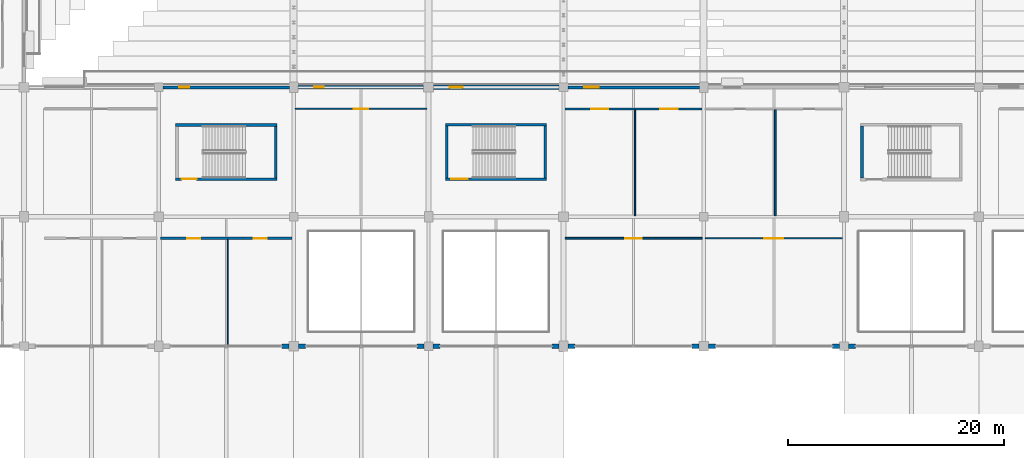
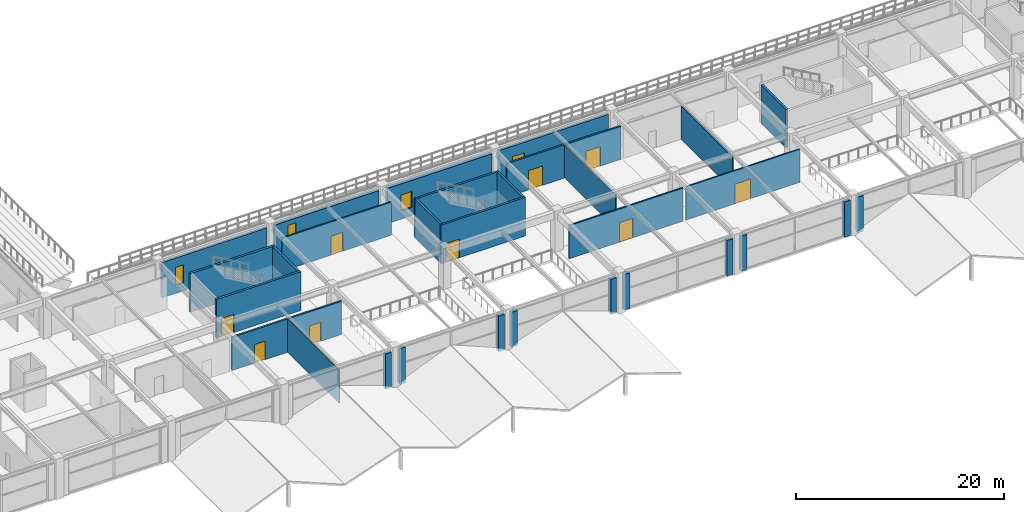
# One storey, part 78 of 134: 30 walls, 9 doors, 4 windows, 13 openings.
"""IFC4 building model written with IfcOpenShell, lengths in metres."""

from ifc_helpers import new_model, si_unit, direction, frame, frame_2d, origin, place, context, subcontext, project, spatial, rectangle, extrude, material, layer, layer_set, type_object, element, fill, save


model = new_model("IFC4")

# Units and contexts
model_context = context("Model", 3, precision=1e-05, world=origin(), true_north=direction((0.0, 1.0)))
body_context = subcontext(model_context, "Body", "Model", "MODEL_VIEW")
ifc_project = project(units=[si_unit("LENGTHUNIT", "METRE"), si_unit("AREAUNIT", "SQUARE_METRE"), si_unit("VOLUMEUNIT", "CUBIC_METRE"), si_unit("PLANEANGLEUNIT", "RADIAN"), si_unit("MASSUNIT", "GRAM", prefix="KILO")], contexts=[model_context])

# Site, building, storey
site_placement = place(None, origin())
site = spatial("IfcSite", under=ifc_project, at=site_placement, CompositionType="ELEMENT")
building_placement = place(site_placement, origin())
building = spatial("IfcBuilding", under=site, at=building_placement, Name="Kazenohara Klinker Stadium", CompositionType="ELEMENT")
storey_placement = place(building_placement, frame((0.0, 0.0, 5.39990234375)))
storey = spatial("IfcBuildingStorey", under=building, at=storey_placement, Name="L01", CompositionType="ELEMENT", Elevation=5.39990234375)

# Wall, opening, door
ifc_material_1 = material(Name="Concrete C40/50", Category="concrete")
ifc_layer_1 = layer(ifc_material_1, 0.22998046875)
ifc_layer_set_1 = layer_set([ifc_layer_1], Name="Concrete C40/50")
wall_type_1 = type_object("IfcWallType", Name="WAL-CORE-230", PredefinedType="SHEAR", material=ifc_layer_set_1)
wall_1_placement = place(storey_placement, frame((88.070068359375, 27.485107421875, 0.0), z_axis=(0.0, 0.0, 1.0), x_axis=(1.0, 0.0, 0.0)))
wall_1 = element("IfcWall", 1, at=wall_1_placement, inside=storey, type_object=wall_type_1, Name="Stairwell shear wall ST26 L01 South", PredefinedType="SHEAR", context=body_context, shape_type="SweptSolid", body=[
    extrude(rectangle(XDim=9.35986328125, YDim=0.22998046875, at=frame_2d((4.679931640625, 0.0))), origin(), (0.0, 0.0, 1.0), 4.550048828125),
])
opening_1_placement = place(wall_1_placement, frame((0.550048828125, 0.0, 0.0)))
opening_1 = element("IfcOpeningElement", 2, at=opening_1_placement, cuts=wall_1, Name="Opening SD02", PredefinedType="OPENING", context=body_context, shape_type="SweptSolid", body=[
    extrude(rectangle(XDim=1.5, YDim=2.199951171875, at=frame_2d((0.75, 1.10009765625))), frame((0.0, 0.125, 0.0), z_axis=(0.0, -1.0, 0.0), x_axis=(1.0, 0.0, 0.0)), (0.0, 0.0, 1.0), 0.25),
])
ifc_material_2 = material(Name="Flush painted steel fire door leaf", Category="steel")
door_type_1 = type_object("IfcDoorType", Name="DR-STR-1500x2200", OperationType="NOTDEFINED", PredefinedType="DOOR", material=ifc_material_2)
door_1_placement = place(opening_1_placement, origin())
door_1 = element("IfcDoor", 3, at=door_1_placement, inside=storey, type_object=door_type_1, Name="Escape stairwell fire door ST26-L01", OperationType="SINGLE_SWING_RIGHT", OverallHeight=2.199951171875, OverallWidth=1.5, PredefinedType="DOOR", context=body_context, shape_type="SweptSolid", body=[
    extrude(rectangle(XDim=1.5, YDim=2.199951171875, at=frame_2d((0.75, 1.10009765625))), frame((0.0, 0.02490234375, 0.0), z_axis=(0.0, -1.0, 0.0), x_axis=(1.0, 0.0, 0.0)), (0.0, 0.0, 1.0), 0.050048828125),
])
fill(opening_1, door_1)

# Walls
wall_2_placement = place(storey_placement, frame((88.070068359375, 32.514892578125, 0.0), z_axis=(0.0, 0.0, 1.0), x_axis=(1.0, 0.0, 0.0)))
element("IfcWall", 4, at=wall_2_placement, inside=storey, type_object=wall_type_1, Name="Stairwell shear wall ST26 L01 North", PredefinedType="SHEAR", context=body_context, shape_type="SweptSolid", body=[
    extrude(rectangle(XDim=9.35986328125, YDim=0.22998046875, at=frame_2d((4.679931640625, 0.0))), origin(), (0.0, 0.0, 1.0), 4.550048828125),
])
for number, where, z_axis, x_axis, name in (
    (5, (88.18505859375, 27.60009765625, 0.0), (0.0, 0.0, 1.0), (0.0, 1.0, 0.0), "Stairwell shear wall ST26 L01 West"),
    (6, (97.31494140625, 27.60009765625, 0.0), (0.0, 0.0, 1.0), (0.0, 1.0, 0.0), "Stairwell shear wall ST26 L01 East"),
):
    element("IfcWall", number, at=place(storey_placement, frame(where, z_axis=z_axis, x_axis=x_axis)), inside=storey, type_object=wall_type_1, Name=name, PredefinedType="SHEAR", context=body_context, shape_type="SweptSolid", body=[
        extrude(rectangle(XDim=4.7998046875, YDim=0.22998046875, at=frame_2d((2.39990234375, 0.0))), origin(), (0.0, 0.0, 1.0), 4.550048828125),
    ])

# Wall, opening, door
ifc_layer_2 = layer(ifc_material_1, 0.25)
ifc_layer_set_2 = layer_set([ifc_layer_2], Name="Concrete C40/50")
wall_type_2 = type_object("IfcWallType", Name="WAL-CORE-250", PredefinedType="SHEAR", material=ifc_layer_set_2)
wall_3_placement = place(storey_placement, frame((63.050048828125, 27.485107421875, 0.0), z_axis=(0.0, 0.0, 1.0), x_axis=(1.0, 0.0, 0.0)))
wall_3 = element("IfcWall", 7, at=wall_3_placement, inside=storey, type_object=wall_type_2, Name="Stairwell shear wall ST25 L01 South", PredefinedType="SHEAR", context=body_context, shape_type="SweptSolid", body=[
    extrude(rectangle(XDim=9.39990234375, YDim=0.25, at=frame_2d((4.699951171875, 0.0))), origin(), (0.0, 0.0, 1.0), 4.550048828125),
])
opening_2_placement = place(wall_3_placement, frame((0.550048828125, 0.0, 0.0)))
opening_2 = element("IfcOpeningElement", 8, at=opening_2_placement, cuts=wall_3, Name="Opening SD01", PredefinedType="OPENING", context=body_context, shape_type="SweptSolid", body=[
    extrude(rectangle(XDim=1.39990234375, YDim=2.14990234375, at=frame_2d((0.699951171875, 1.074951171875))), frame((0.0, 0.135009765625, 0.0), z_axis=(0.0, -1.0, 0.0), x_axis=(1.0, 0.0, 0.0)), (0.0, 0.0, 1.0), 0.27001953125),
])
door_type_2 = type_object("IfcDoorType", Name="DR-STR-1400x2150", OperationType="NOTDEFINED", PredefinedType="DOOR", material=ifc_material_2)
door_2_placement = place(opening_2_placement, origin())
door_2 = element("IfcDoor", 9, at=door_2_placement, inside=storey, type_object=door_type_2, Name="Escape stairwell fire door ST25-L01", OperationType="SINGLE_SWING_RIGHT", OverallHeight=2.14990234375, OverallWidth=1.39990234375, PredefinedType="DOOR", context=body_context, shape_type="SweptSolid", body=[
    extrude(rectangle(XDim=1.39990234375, YDim=2.14990234375, at=frame_2d((0.699951171875, 1.074951171875))), frame((0.0, 0.02490234375, 0.0), z_axis=(0.0, -1.0, 0.0), x_axis=(1.0, 0.0, 0.0)), (0.0, 0.0, 1.0), 0.050048828125),
])
fill(opening_2, door_2)

# Walls
wall_4_placement = place(storey_placement, frame((63.050048828125, 32.514892578125, 0.0), z_axis=(0.0, 0.0, 1.0), x_axis=(1.0, 0.0, 0.0)))
element("IfcWall", 10, at=wall_4_placement, inside=storey, type_object=wall_type_2, Name="Stairwell shear wall ST25 L01 North", PredefinedType="SHEAR", context=body_context, shape_type="SweptSolid", body=[
    extrude(rectangle(XDim=9.39990234375, YDim=0.25, at=frame_2d((4.699951171875, 0.0))), origin(), (0.0, 0.0, 1.0), 4.550048828125),
])
wall_5_placement = place(storey_placement, frame((72.324951171875, 27.610107421875, 0.0), z_axis=(0.0, 0.0, 1.0), x_axis=(0.0, 1.0, 0.0)))
element("IfcWall", 11, at=wall_5_placement, inside=storey, type_object=wall_type_2, Name="Stairwell shear wall ST25 L01 East", PredefinedType="SHEAR", context=body_context, shape_type="SweptSolid", body=[
    extrude(rectangle(XDim=4.77978515625, YDim=0.25, at=frame_2d((2.389892578125, 0.0))), origin(), (0.0, 0.0, 1.0), 4.550048828125),
])
wall_6_placement = place(storey_placement, frame((126.675048828125, 27.580078125, 0.0), z_axis=(0.0, 0.0, 1.0), x_axis=(0.0, 1.0, 0.0)))
element("IfcWall", 12, at=wall_6_placement, inside=storey, type_object=wall_type_2, Name="Stairwell shear wall ST27 L01 West", PredefinedType="SHEAR", context=body_context, shape_type="SweptSolid", body=[
    extrude(rectangle(XDim=4.83984375, YDim=0.25, at=frame_2d((2.419921875, 0.0))), origin(), (0.0, 0.0, 1.0), 4.550048828125),
])

# Wall, opening, window
ifc_material_3 = material(Name="Clinker brick masonry", Category="masonry")
ifc_layer_3 = layer(ifc_material_3, 0.280029296875)
ifc_layer_set_3 = layer_set([ifc_layer_3], Name="Clinker brick masonry")
wall_type_3 = type_object("IfcWallType", Name="WAL-EXT-CB280", PredefinedType="SOLIDWALL", material=ifc_layer_set_3)
wall_7_placement = place(storey_placement, frame((61.904052734375, 36.0, 0.0), z_axis=(0.0, 0.0, 1.0), x_axis=(1.0, 0.0, 0.0)))
wall_7 = element("IfcWall", 13, at=wall_7_placement, inside=storey, type_object=wall_type_3, Name="Clinker brick cavity wall EW06 L01 X5-3", PredefinedType="SOLIDWALL", context=body_context, shape_type="SweptSolid", body=[
    extrude(rectangle(XDim=11.69189453125, YDim=0.280029296875, at=frame_2d((5.845947265625, 0.0))), origin(), (0.0, 0.0, 1.0), 4.150146484375),
])
opening_3_placement = place(wall_7_placement, frame((1.5, 0.0, 0.949951171875)))
opening_3 = element("IfcOpeningElement", 14, at=opening_3_placement, cuts=wall_7, Name="Opening W01", PredefinedType="OPENING", context=body_context, shape_type="SweptSolid", body=[
    extrude(rectangle(XDim=0.89990234375, YDim=2.10009765625, at=frame_2d((0.449951171875, 1.050048828125))), frame((0.0, 0.14990234375, 0.0), z_axis=(0.0, -1.0, 0.0), x_axis=(1.0, 0.0, 0.0)), (0.0, 0.0, 1.0), 0.300048828125),
])
ifc_material_4 = material(Name="Dark bronze aluminium frame and triple glazing", Category="aluminium")
window_type_1 = type_object("IfcWindowType", Name="WIN-AS-01", PartitioningType="SINGLE_PANEL", PredefinedType="WINDOW", material=ifc_material_4)
window_1_placement = place(opening_3_placement, origin())
window_1 = element("IfcWindow", 15, at=window_1_placement, inside=storey, type_object=window_type_1, Name="Horizontal-mullion ladder window W01 L01 X5-3", OverallHeight=2.10009765625, OverallWidth=0.89990234375, PartitioningType="SINGLE_PANEL", PredefinedType="WINDOW", context=body_context, shape_type="SweptSolid", body=[
    extrude(rectangle(XDim=0.89990234375, YDim=2.10009765625, at=frame_2d((0.449951171875, 1.050048828125))), frame((0.0, 0.030029296875, 0.0), z_axis=(0.0, -1.0, 0.0), x_axis=(1.0, 0.0, 0.0)), (0.0, 0.0, 1.0), 0.06005859375),
])
fill(opening_3, window_1)

wall_8_placement = place(storey_placement, frame((99.404052734375, 36.0, 0.0), z_axis=(0.0, 0.0, 1.0), x_axis=(1.0, 0.0, 0.0)))
wall_8 = element("IfcWall", 16, at=wall_8_placement, inside=storey, type_object=wall_type_3, Name="Clinker brick cavity wall EW06 L01 X8-3", PredefinedType="SOLIDWALL", context=body_context, shape_type="SweptSolid", body=[
    extrude(rectangle(XDim=12.19189453125, YDim=0.280029296875, at=frame_2d((6.095947265625, 0.0))), origin(), (0.0, 0.0, 1.0), 4.2001953125),
])
opening_4_placement = place(wall_8_placement, frame((1.5, 0.0, 0.949951171875)))
opening_4 = element("IfcOpeningElement", 17, at=opening_4_placement, cuts=wall_8, Name="Opening W07", PredefinedType="OPENING", context=body_context, shape_type="SweptSolid", body=[
    extrude(rectangle(XDim=1.35009765625, YDim=2.0, at=frame_2d((0.675048828125, 1.0))), frame((0.0, 0.14990234375, 0.0), z_axis=(0.0, -1.0, 0.0), x_axis=(1.0, 0.0, 0.0)), (0.0, 0.0, 1.0), 0.300048828125),
])
window_type_2 = type_object("IfcWindowType", Name="WIN-AS-07", PartitioningType="SINGLE_PANEL", PredefinedType="WINDOW", material=ifc_material_4)
window_2_placement = place(opening_4_placement, origin())
window_2 = element("IfcWindow", 18, at=window_2_placement, inside=storey, type_object=window_type_2, Name="Horizontal-mullion ladder window W07 L01 X8-3", OverallHeight=2.0, OverallWidth=1.35009765625, PartitioningType="SINGLE_PANEL", PredefinedType="WINDOW", context=body_context, shape_type="SweptSolid", body=[
    extrude(rectangle(XDim=1.35009765625, YDim=2.0, at=frame_2d((0.675048828125, 1.0))), frame((0.0, 0.030029296875, 0.0), z_axis=(0.0, -1.0, 0.0), x_axis=(1.0, 0.0, 0.0)), (0.0, 0.0, 1.0), 0.06005859375),
])
fill(opening_4, window_2)

ifc_layer_4 = layer(ifc_material_3, 0.340087890625)
ifc_layer_set_4 = layer_set([ifc_layer_4], Name="Clinker brick masonry")
wall_type_4 = type_object("IfcWallType", Name="WAL-EXT-CB340", PredefinedType="SOLIDWALL", material=ifc_layer_set_4)
wall_9_placement = place(storey_placement, frame((74.404052734375, 36.0, 0.0), z_axis=(0.0, 0.0, 1.0), x_axis=(1.0, 0.0, 0.0)))
wall_9 = element("IfcWall", 19, at=wall_9_placement, inside=storey, type_object=wall_type_4, Name="Clinker brick cavity wall EW04 L01 X6-3", PredefinedType="SOLIDWALL", context=body_context, shape_type="SweptSolid", body=[
    extrude(rectangle(XDim=11.641845703125, YDim=0.340087890625, at=frame_2d((5.82080078125, 0.0))), origin(), (0.0, 0.0, 1.0), 4.2001953125),
])
opening_5_placement = place(wall_9_placement, frame((1.5, 0.0, 0.949951171875)))
opening_5 = element("IfcOpeningElement", 20, at=opening_5_placement, cuts=wall_9, Name="Opening W03", PredefinedType="OPENING", context=body_context, shape_type="SweptSolid", body=[
    extrude(rectangle(XDim=0.89990234375, YDim=2.699951171875, at=frame_2d((0.449951171875, 1.35009765625))), frame((0.0, 0.18017578125, 0.0), z_axis=(0.0, -1.0, 0.0), x_axis=(1.0, 0.0, 0.0)), (0.0, 0.0, 1.0), 0.360107421875),
])
window_type_3 = type_object("IfcWindowType", Name="WIN-AS-03", PartitioningType="SINGLE_PANEL", PredefinedType="WINDOW", material=ifc_material_4)
window_3_placement = place(opening_5_placement, origin())
window_3 = element("IfcWindow", 21, at=window_3_placement, inside=storey, type_object=window_type_3, Name="Horizontal-mullion ladder window W03 L01 X6-3", OverallHeight=2.699951171875, OverallWidth=0.89990234375, PartitioningType="SINGLE_PANEL", PredefinedType="WINDOW", context=body_context, shape_type="SweptSolid", body=[
    extrude(rectangle(XDim=0.89990234375, YDim=2.699951171875, at=frame_2d((0.449951171875, 1.35009765625))), frame((0.0, 0.030029296875, 0.0), z_axis=(0.0, -1.0, 0.0), x_axis=(1.0, 0.0, 0.0)), (0.0, 0.0, 1.0), 0.06005859375),
])
fill(opening_5, window_3)

# Walls
ifc_layer_5 = layer(ifc_material_3, 0.409912109375)
ifc_layer_set_5 = layer_set([ifc_layer_5], Name="Clinker brick masonry")
wall_type_5 = type_object("IfcWallType", Name="WAL-EXT-CB410", PredefinedType="SOLIDWALL", material=ifc_layer_set_5)
wall_10_placement = place(storey_placement, frame((72.89599609375, 12.0, 0.0), z_axis=(0.0, 0.0, 1.0), x_axis=(1.0, 0.0, 0.0)))
element("IfcWall", 22, at=wall_10_placement, inside=storey, type_object=wall_type_5, Name="Clinker brick curtain-wall jamb pier L01 X5-1 B", PredefinedType="SOLIDWALL", context=body_context, shape_type="SweptSolid", body=[
    extrude(rectangle(XDim=0.64990234375, YDim=0.409912109375, at=frame_2d((0.324951171875, 0.0))), origin(), (0.0, 0.0, 1.0), 4.150146484375),
])
for number, where, z_axis, x_axis, name in (
    (23, (74.4541015625, 12.0, 0.0), (0.0, 0.0, 1.0), (1.0, 0.0, 0.0), "Clinker brick curtain-wall jamb pier L01 X6-1 A"),
    (24, (85.446044921875, 12.0, 0.0), (0.0, 0.0, 1.0), (1.0, 0.0, 0.0), "Clinker brick curtain-wall jamb pier L01 X6-1 B"),
):
    element("IfcWall", number, at=place(storey_placement, frame(where, z_axis=z_axis, x_axis=x_axis)), inside=storey, type_object=wall_type_5, Name=name, PredefinedType="SOLIDWALL", context=body_context, shape_type="SweptSolid", body=[
        extrude(rectangle(XDim=0.64990234375, YDim=0.409912109375, at=frame_2d((0.324951171875, 0.0))), origin(), (0.0, 0.0, 1.0), 4.2001953125),
    ])
for number, where, z_axis, x_axis, name in (
    (25, (86.904052734375, 12.0, 0.0), (0.0, 0.0, 1.0), (1.0, 0.0, 0.0), "Clinker brick curtain-wall jamb pier L01 X7-1 A"),
    (26, (97.946044921875, 12.0, 0.0), (0.0, 0.0, 1.0), (1.0, 0.0, 0.0), "Clinker brick curtain-wall jamb pier L01 X7-1 B"),
):
    element("IfcWall", number, at=place(storey_placement, frame(where, z_axis=z_axis, x_axis=x_axis)), inside=storey, type_object=wall_type_5, Name=name, PredefinedType="SOLIDWALL", context=body_context, shape_type="SweptSolid", body=[
        extrude(rectangle(XDim=0.64990234375, YDim=0.409912109375, at=frame_2d((0.324951171875, 0.0))), origin(), (0.0, 0.0, 1.0), 4.150146484375),
    ])

# Wall, opening, window
wall_11_placement = place(storey_placement, frame((86.9541015625, 36.0, 0.0), z_axis=(0.0, 0.0, 1.0), x_axis=(1.0, 0.0, 0.0)))
wall_11 = element("IfcWall", 27, at=wall_11_placement, inside=storey, type_object=wall_type_5, Name="Clinker brick cavity wall EW02 L01 X7-3", PredefinedType="SOLIDWALL", context=body_context, shape_type="SweptSolid", body=[
    extrude(rectangle(XDim=11.641845703125, YDim=0.409912109375, at=frame_2d((5.82080078125, 0.0))), origin(), (0.0, 0.0, 1.0), 4.150146484375),
])
opening_6_placement = place(wall_11_placement, frame((1.5, 0.0, 0.949951171875)))
opening_6 = element("IfcOpeningElement", 28, at=opening_6_placement, cuts=wall_11, Name="Opening W05", PredefinedType="OPENING", context=body_context, shape_type="SweptSolid", body=[
    extrude(rectangle(XDim=1.199951171875, YDim=1.89990234375, at=frame_2d((0.60009765625, 0.949951171875))), frame((0.0, 0.21484375, 0.0), z_axis=(0.0, -1.0, 0.0), x_axis=(1.0, 0.0, 0.0)), (0.0, 0.0, 1.0), 0.429931640625),
])
window_type_4 = type_object("IfcWindowType", Name="WIN-AS-05", PartitioningType="SINGLE_PANEL", PredefinedType="WINDOW", material=ifc_material_4)
window_4_placement = place(opening_6_placement, origin())
window_4 = element("IfcWindow", 29, at=window_4_placement, inside=storey, type_object=window_type_4, Name="Horizontal-mullion ladder window W05 L01 X7-3", OverallHeight=1.89990234375, OverallWidth=1.199951171875, PartitioningType="SINGLE_PANEL", PredefinedType="WINDOW", context=body_context, shape_type="SweptSolid", body=[
    extrude(rectangle(XDim=1.199951171875, YDim=1.89990234375, at=frame_2d((0.60009765625, 0.949951171875))), frame((0.0, 0.030029296875, 0.0), z_axis=(0.0, -1.0, 0.0), x_axis=(1.0, 0.0, 0.0)), (0.0, 0.0, 1.0), 0.06005859375),
])
fill(opening_6, window_4)

# Walls
for number, where, z_axis, x_axis, name in (
    (30, (99.404052734375, 12.0, 0.0), (0.0, 0.0, 1.0), (1.0, 0.0, 0.0), "Clinker brick curtain-wall jamb pier L01 X8-1 A"),
    (31, (110.89599609375, 12.0, 0.0), (0.0, 0.0, 1.0), (1.0, 0.0, 0.0), "Clinker brick curtain-wall jamb pier L01 X8-1 B"),
):
    element("IfcWall", number, at=place(storey_placement, frame(where, z_axis=z_axis, x_axis=x_axis)), inside=storey, type_object=wall_type_5, Name=name, PredefinedType="SOLIDWALL", context=body_context, shape_type="SweptSolid", body=[
        extrude(rectangle(XDim=0.64990234375, YDim=0.409912109375, at=frame_2d((0.324951171875, 0.0))), origin(), (0.0, 0.0, 1.0), 4.2001953125),
    ])
for number, where, z_axis, x_axis, name in (
    (32, (112.4541015625, 12.0, 0.0), (0.0, 0.0, 1.0), (1.0, 0.0, 0.0), "Clinker brick curtain-wall jamb pier L01 X9-1 A"),
    (33, (123.946044921875, 12.0, 0.0), (0.0, 0.0, 1.0), (1.0, 0.0, 0.0), "Clinker brick curtain-wall jamb pier L01 X9-1 B"),
):
    element("IfcWall", number, at=place(storey_placement, frame(where, z_axis=z_axis, x_axis=x_axis)), inside=storey, type_object=wall_type_5, Name=name, PredefinedType="SOLIDWALL", context=body_context, shape_type="SweptSolid", body=[
        extrude(rectangle(XDim=0.64990234375, YDim=0.409912109375, at=frame_2d((0.324951171875, 0.0))), origin(), (0.0, 0.0, 1.0), 4.150146484375),
    ])
wall_12_placement = place(storey_placement, frame((125.404052734375, 12.0, 0.0), z_axis=(0.0, 0.0, 1.0), x_axis=(1.0, 0.0, 0.0)))
element("IfcWall", 34, at=wall_12_placement, inside=storey, type_object=wall_type_5, Name="Clinker brick curtain-wall jamb pier L01 X10-1 A", PredefinedType="SOLIDWALL", context=body_context, shape_type="SweptSolid", body=[
    extrude(rectangle(XDim=0.64990234375, YDim=0.409912109375, at=frame_2d((0.324951171875, 0.0))), origin(), (0.0, 0.0, 1.0), 4.2001953125),
])
ifc_material_5 = material(Name="Fire-rated gypsum board on acoustic studs", Category="gypsum")
ifc_layer_6 = layer(ifc_material_5, 0.110107421875)
ifc_layer_set_6 = layer_set([ifc_layer_6], Name="Fire-rated gypsum board on acoustic studs")
wall_type_6 = type_object("IfcWallType", Name="WAL-INT-P110", PredefinedType="PARTITIONING", material=ifc_layer_set_6)
wall_13_placement = place(storey_placement, frame((67.871826171875, 12.02392578125, 0.0), z_axis=(0.0, 0.0, 1.0), x_axis=(0.0, 1.0, 0.0)))
element("IfcWall", 35, at=wall_13_placement, inside=storey, type_object=wall_type_6, Name="Interior partition wall PT01 SPC-L01-05-01-1-2", PredefinedType="PARTITIONING", context=body_context, shape_type="SweptSolid", body=[
    extrude(rectangle(XDim=9.885986328125, YDim=0.110107421875, at=frame_2d((4.94287109375, 0.0))), origin(), (0.0, 0.0, 1.0), 3.920166015625),
])

# Wall, opening, door
wall_14_placement = place(storey_placement, frame((74.159912109375, 34.010009765625, 0.0), z_axis=(0.0, 0.0, 1.0), x_axis=(1.0, 0.0, 0.0)))
wall_14 = element("IfcWall", 36, at=wall_14_placement, inside=storey, type_object=wall_type_6, Name="Interior partition wall PT01 SPC-L01-06-02-1-1", PredefinedType="PARTITIONING", context=body_context, shape_type="SweptSolid", body=[
    extrude(rectangle(XDim=12.18017578125, YDim=0.110107421875, at=frame_2d((6.090087890625, 0.0))), origin(), (0.0, 0.0, 1.0), 3.920166015625),
])
opening_7_placement = place(wall_14_placement, frame((6.755126953125, 0.0, 0.0), z_axis=(0.0, 0.0, 1.0), x_axis=(-1.0, 0.0, 0.0)))
opening_7 = element("IfcOpeningElement", 37, at=opening_7_placement, cuts=wall_14, Name="Opening ID16", PredefinedType="OPENING", context=body_context, shape_type="SweptSolid", body=[
    extrude(rectangle(XDim=1.330078125, YDim=2.219970703125, at=frame_2d((0.6650390625, 1.10986328125))), frame((0.0, 0.06494140625, 0.0), z_axis=(0.0, -1.0, 0.0), x_axis=(1.0, 0.0, 0.0)), (0.0, 0.0, 1.0), 0.130126953125),
])
ifc_material_6 = material(Name="Solid-core Hokkaido oak fire door", Category="wood")
door_type_3 = type_object("IfcDoorType", Name="DR-INT-16", OperationType="NOTDEFINED", PredefinedType="DOOR", material=ifc_material_6)
door_3_placement = place(opening_7_placement, origin())
door_3 = element("IfcDoor", 38, at=door_3_placement, inside=storey, type_object=door_type_3, Name="Interior door ID16 Concourse Supporter Beer Dining Hall L01-0602A", OperationType="SINGLE_SWING_LEFT", OverallHeight=2.219970703125, OverallWidth=1.330078125, PredefinedType="DOOR", context=body_context, shape_type="SweptSolid", body=[
    extrude(rectangle(XDim=1.330078125, YDim=2.219970703125, at=frame_2d((0.6650390625, 1.10986328125))), frame((0.0, 0.02490234375, 0.0), z_axis=(0.0, -1.0, 0.0), x_axis=(1.0, 0.0, 0.0)), (0.0, 0.0, 1.0), 0.050048828125),
])
fill(opening_7, door_3)

# Wall
wall_15_placement = place(storey_placement, frame((105.626708984375, 24.080078125, 0.0), z_axis=(0.0, 0.0, 1.0), x_axis=(0.0, 1.0, 0.0)))
element("IfcWall", 39, at=wall_15_placement, inside=storey, type_object=wall_type_6, Name="Interior partition wall PT01 SPC-L01-08-02-1-2", PredefinedType="PARTITIONING", context=body_context, shape_type="SweptSolid", body=[
    extrude(rectangle(XDim=9.829833984375, YDim=0.110107421875, at=frame_2d((4.9150390625, 0.0))), origin(), (0.0, 0.0, 1.0), 3.920166015625),
])

# Wall, opening, door
wall_16_placement = place(storey_placement, frame((112.159912109375, 22.010009765625, 0.0), z_axis=(0.0, 0.0, 1.0), x_axis=(1.0, 0.0, 0.0)))
wall_16 = element("IfcWall", 40, at=wall_16_placement, inside=storey, type_object=wall_type_6, Name="Interior partition wall PT01 SPC-L01-09-01-1-1", PredefinedType="PARTITIONING", context=body_context, shape_type="SweptSolid", body=[
    extrude(rectangle(XDim=12.68017578125, YDim=0.110107421875, at=frame_2d((6.340087890625, 0.0))), origin(), (0.0, 0.0, 1.0), 3.920166015625),
])
opening_8_placement = place(wall_16_placement, frame((7.219970703125, 0.0, 0.0), z_axis=(0.0, 0.0, 1.0), x_axis=(-1.0, 0.0, 0.0)))
opening_8 = element("IfcOpeningElement", 41, at=opening_8_placement, cuts=wall_16, Name="Opening ID26", PredefinedType="OPENING", context=body_context, shape_type="SweptSolid", body=[
    extrude(rectangle(XDim=1.760009765625, YDim=2.300048828125, at=frame_2d((0.8798828125, 1.14990234375))), frame((0.0, 0.06494140625, 0.0), z_axis=(0.0, -1.0, 0.0), x_axis=(1.0, 0.0, 0.0)), (0.0, 0.0, 1.0), 0.130126953125),
])
ifc_material_7 = material(Name="Painted steel plant fire door", Category="steel")
door_type_4 = type_object("IfcDoorType", Name="DR-INT-26", OperationType="NOTDEFINED", PredefinedType="DOOR", material=ifc_material_7)
door_4_placement = place(opening_8_placement, origin())
door_4 = element("IfcDoor", 42, at=door_4_placement, inside=storey, type_object=door_type_4, Name="Interior door ID26 Family Sensory Hospitality Lounge L01-0901A", OperationType="SINGLE_SWING_LEFT", OverallHeight=2.300048828125, OverallWidth=1.760009765625, PredefinedType="DOOR", context=body_context, shape_type="SweptSolid", body=[
    extrude(rectangle(XDim=1.760009765625, YDim=2.300048828125, at=frame_2d((0.8798828125, 1.14990234375))), frame((0.0, 0.02490234375, 0.0), z_axis=(0.0, -1.0, 0.0), x_axis=(1.0, 0.0, 0.0)), (0.0, 0.0, 1.0), 0.050048828125),
])
fill(opening_8, door_4)

ifc_layer_7 = layer(ifc_material_5, 0.14990234375)
ifc_layer_set_7 = layer_set([ifc_layer_7], Name="Fire-rated gypsum board on acoustic studs")
wall_type_7 = type_object("IfcWallType", Name="WAL-INT-P150", PredefinedType="PARTITIONING", material=ifc_layer_set_7)
wall_17_placement = place(storey_placement, frame((99.159912109375, 22.010009765625, 0.0), z_axis=(0.0, 0.0, 1.0), x_axis=(1.0, 0.0, 0.0)))
wall_17 = element("IfcWall", 43, at=wall_17_placement, inside=storey, type_object=wall_type_7, Name="Interior partition wall PT04 SPC-L01-08-01-1-1", PredefinedType="PARTITIONING", context=body_context, shape_type="SweptSolid", body=[
    extrude(rectangle(XDim=12.68017578125, YDim=0.14990234375, at=frame_2d((6.340087890625, 0.0))), origin(), (0.0, 0.0, 1.0), 3.920166015625),
])
opening_9_placement = place(wall_17_placement, frame((7.10009765625, 0.0, 0.0), z_axis=(0.0, 0.0, 1.0), x_axis=(-1.0, 0.0, 0.0)))
opening_9 = element("IfcOpeningElement", 44, at=opening_9_placement, cuts=wall_17, Name="Opening ID21", PredefinedType="OPENING", context=body_context, shape_type="SweptSolid", body=[
    extrude(rectangle(XDim=1.52001953125, YDim=2.280029296875, at=frame_2d((0.760009765625, 1.14013671875))), frame((0.0, 0.0849609375, 0.0), z_axis=(0.0, -1.0, 0.0), x_axis=(1.0, 0.0, 0.0)), (0.0, 0.0, 1.0), 0.169921875),
])
door_type_5 = type_object("IfcDoorType", Name="DR-INT-21", OperationType="NOTDEFINED", PredefinedType="DOOR", material=ifc_material_7)
door_5_placement = place(opening_9_placement, origin())
door_5 = element("IfcDoor", 45, at=door_5_placement, inside=storey, type_object=door_type_5, Name="Interior door ID21 Concourse Hokkaido Seafood Bistro L01-0801A", OperationType="SINGLE_SWING_RIGHT", OverallHeight=2.280029296875, OverallWidth=1.52001953125, PredefinedType="DOOR", context=body_context, shape_type="SweptSolid", body=[
    extrude(rectangle(XDim=1.52001953125, YDim=2.280029296875, at=frame_2d((0.760009765625, 1.14013671875))), frame((0.0, 0.02490234375, 0.0), z_axis=(0.0, -1.0, 0.0), x_axis=(1.0, 0.0, 0.0)), (0.0, 0.0, 1.0), 0.050048828125),
])
fill(opening_9, door_5)

# Wall
wall_18_placement = place(storey_placement, frame((118.626708984375, 24.080078125, 0.0), z_axis=(0.0, 0.0, 1.0), x_axis=(0.0, 1.0, 0.0)))
element("IfcWall", 46, at=wall_18_placement, inside=storey, type_object=wall_type_7, Name="Interior partition wall PT04 SPC-L01-09-02-1-2", PredefinedType="PARTITIONING", context=body_context, shape_type="SweptSolid", body=[
    extrude(rectangle(XDim=9.85498046875, YDim=0.14990234375, at=frame_2d((4.927490234375, 0.0))), origin(), (0.0, 0.0, 1.0), 3.920166015625),
])

# Wall, openings, doors
ifc_layer_8 = layer(ifc_material_5, 0.18994140625)
ifc_layer_set_8 = layer_set([ifc_layer_8], Name="Fire-rated gypsum board on acoustic studs")
wall_type_8 = type_object("IfcWallType", Name="WAL-INT-P190", PredefinedType="PARTITIONING", material=ifc_layer_set_8)
wall_19_placement = place(storey_placement, frame((61.659912109375, 22.010009765625, 0.0), z_axis=(0.0, 0.0, 1.0), x_axis=(1.0, 0.0, 0.0)))
wall_19 = element("IfcWall", 47, at=wall_19_placement, inside=storey, type_object=wall_type_8, Name="Interior partition wall PT06 SPC-L01-05-01-1-1", PredefinedType="PARTITIONING", context=body_context, shape_type="SweptSolid", body=[
    extrude(rectangle(XDim=12.18017578125, YDim=0.18994140625, at=frame_2d((6.090087890625, 0.0))), origin(), (0.0, 0.0, 1.0), 3.920166015625),
])
opening_10_placement = place(wall_19_placement, frame((3.6708984375, 0.0, 0.0), z_axis=(0.0, 0.0, 1.0), x_axis=(-1.0, 0.0, 0.0)))
opening_10 = element("IfcOpeningElement", 48, at=opening_10_placement, cuts=wall_19, Name="Opening ID12", PredefinedType="OPENING", context=body_context, shape_type="SweptSolid", body=[
    extrude(rectangle(XDim=1.2099609375, YDim=2.179931640625, at=frame_2d((0.60498046875, 1.08984375))), frame((0.0, 0.10498046875, 0.0), z_axis=(0.0, -1.0, 0.0), x_axis=(1.0, 0.0, 0.0)), (0.0, 0.0, 1.0), 0.2099609375),
])
opening_11_placement = place(wall_19_placement, frame((9.85595703125, 0.0, 0.0), z_axis=(0.0, 0.0, 1.0), x_axis=(-1.0, 0.0, 0.0)))
opening_11 = element("IfcOpeningElement", 49, at=opening_11_placement, cuts=wall_19, Name="Opening ID13", PredefinedType="OPENING", context=body_context, shape_type="SweptSolid", body=[
    extrude(rectangle(XDim=1.239990234375, YDim=2.219970703125, at=frame_2d((0.6201171875, 1.10986328125))), frame((0.0, 0.10498046875, 0.0), z_axis=(0.0, -1.0, 0.0), x_axis=(1.0, 0.0, 0.0)), (0.0, 0.0, 1.0), 0.2099609375),
])
door_type_6 = type_object("IfcDoorType", Name="DR-INT-12", OperationType="NOTDEFINED", PredefinedType="DOOR", material=ifc_material_6)
door_6_placement = place(opening_10_placement, origin())
door_6 = element("IfcDoor", 50, at=door_6_placement, inside=storey, type_object=door_type_6, Name="Interior door ID12 Family Sensory Hospitality Lounge L01-0501A", OperationType="SINGLE_SWING_LEFT", OverallHeight=2.179931640625, OverallWidth=1.2099609375, PredefinedType="DOOR", context=body_context, shape_type="SweptSolid", body=[
    extrude(rectangle(XDim=1.2099609375, YDim=2.179931640625, at=frame_2d((0.60498046875, 1.08984375))), frame((0.0, 0.02490234375, 0.0), z_axis=(0.0, -1.0, 0.0), x_axis=(1.0, 0.0, 0.0)), (0.0, 0.0, 1.0), 0.050048828125),
])
fill(opening_10, door_6)
door_type_7 = type_object("IfcDoorType", Name="DR-INT-13", OperationType="NOTDEFINED", PredefinedType="DOOR", material=ifc_material_6)
door_7_placement = place(opening_11_placement, origin())
door_7 = element("IfcDoor", 51, at=door_7_placement, inside=storey, type_object=door_type_7, Name="Interior door ID13 Youth Sports Coaching Classroom L01-0501B", OperationType="SINGLE_SWING_RIGHT", OverallHeight=2.219970703125, OverallWidth=1.239990234375, PredefinedType="DOOR", context=body_context, shape_type="SweptSolid", body=[
    extrude(rectangle(XDim=1.239990234375, YDim=2.219970703125, at=frame_2d((0.6201171875, 1.10986328125))), frame((0.0, 0.02490234375, 0.0), z_axis=(0.0, -1.0, 0.0), x_axis=(1.0, 0.0, 0.0)), (0.0, 0.0, 1.0), 0.050048828125),
])
fill(opening_11, door_7)

wall_20_placement = place(storey_placement, frame((99.159912109375, 34.010009765625, 0.0), z_axis=(0.0, 0.0, 1.0), x_axis=(1.0, 0.0, 0.0)))
wall_20 = element("IfcWall", 52, at=wall_20_placement, inside=storey, type_object=wall_type_8, Name="Interior partition wall PT06 SPC-L01-08-02-1-1", PredefinedType="PARTITIONING", context=body_context, shape_type="SweptSolid", body=[
    extrude(rectangle(XDim=12.68017578125, YDim=0.18994140625, at=frame_2d((6.340087890625, 0.0))), origin(), (0.0, 0.0, 1.0), 3.920166015625),
])
opening_12_placement = place(wall_20_placement, frame((3.973388671875, 0.0, 0.0), z_axis=(0.0, 0.0, 1.0), x_axis=(-1.0, 0.0, 0.0)))
opening_12 = element("IfcOpeningElement", 53, at=opening_12_placement, cuts=wall_20, Name="Opening ID22", PredefinedType="OPENING", context=body_context, shape_type="SweptSolid", body=[
    extrude(rectangle(XDim=1.56005859375, YDim=2.260009765625, at=frame_2d((0.780029296875, 1.1298828125))), frame((0.0, 0.10498046875, 0.0), z_axis=(0.0, -1.0, 0.0), x_axis=(1.0, 0.0, 0.0)), (0.0, 0.0, 1.0), 0.2099609375),
])
opening_13_placement = place(wall_20_placement, frame((10.41357421875, 0.0, 0.0), z_axis=(0.0, 0.0, 1.0), x_axis=(-1.0, 0.0, 0.0)))
opening_13 = element("IfcOpeningElement", 54, at=opening_13_placement, cuts=wall_20, Name="Opening ID23", PredefinedType="OPENING", context=body_context, shape_type="SweptSolid", body=[
    extrude(rectangle(XDim=1.60009765625, YDim=2.300048828125, at=frame_2d((0.800048828125, 1.14990234375))), frame((0.0, 0.10498046875, 0.0), z_axis=(0.0, -1.0, 0.0), x_axis=(1.0, 0.0, 0.0)), (0.0, 0.0, 1.0), 0.2099609375),
])
door_type_8 = type_object("IfcDoorType", Name="DR-INT-22", OperationType="NOTDEFINED", PredefinedType="DOOR", material=ifc_material_7)
door_8_placement = place(opening_12_placement, origin())
door_8 = element("IfcDoor", 55, at=door_8_placement, inside=storey, type_object=door_type_8, Name="Interior door ID22 Community Martial Arts Fitness Studio L01-0802A", OperationType="SINGLE_SWING_LEFT", OverallHeight=2.260009765625, OverallWidth=1.56005859375, PredefinedType="DOOR", context=body_context, shape_type="SweptSolid", body=[
    extrude(rectangle(XDim=1.56005859375, YDim=2.260009765625, at=frame_2d((0.780029296875, 1.1298828125))), frame((0.0, 0.02490234375, 0.0), z_axis=(0.0, -1.0, 0.0), x_axis=(1.0, 0.0, 0.0)), (0.0, 0.0, 1.0), 0.050048828125),
])
fill(opening_12, door_8)
door_type_9 = type_object("IfcDoorType", Name="DR-INT-23", OperationType="NOTDEFINED", PredefinedType="DOOR", material=ifc_material_7)
door_9_placement = place(opening_13_placement, origin())
door_9 = element("IfcDoor", 56, at=door_9_placement, inside=storey, type_object=door_type_9, Name="Interior door ID23 Spectator First-Aid Medical Clinic L01-0802B", OperationType="SINGLE_SWING_RIGHT", OverallHeight=2.300048828125, OverallWidth=1.60009765625, PredefinedType="DOOR", context=body_context, shape_type="SweptSolid", body=[
    extrude(rectangle(XDim=1.60009765625, YDim=2.300048828125, at=frame_2d((0.800048828125, 1.14990234375))), frame((0.0, 0.02490234375, 0.0), z_axis=(0.0, -1.0, 0.0), x_axis=(1.0, 0.0, 0.0)), (0.0, 0.0, 1.0), 0.050048828125),
])
fill(opening_13, door_9)

save(model, "model.ifc")
